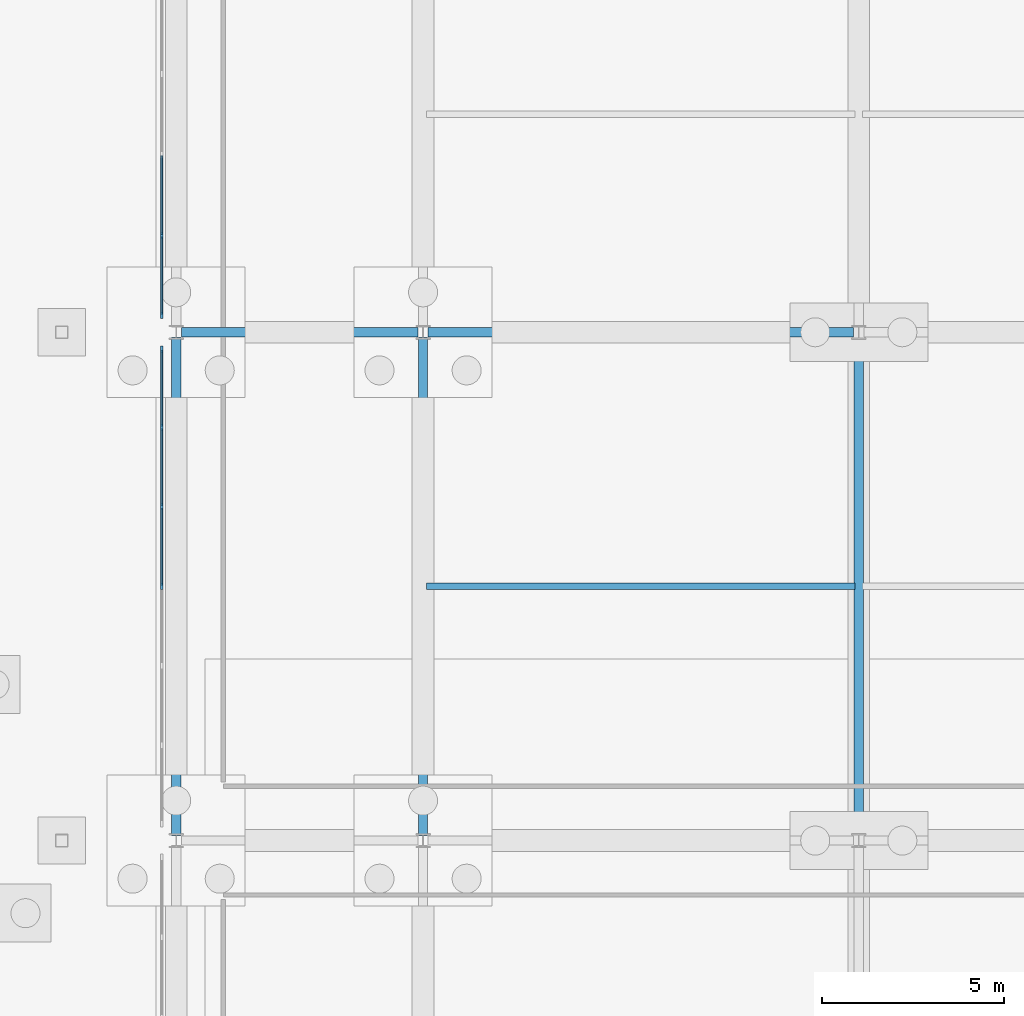
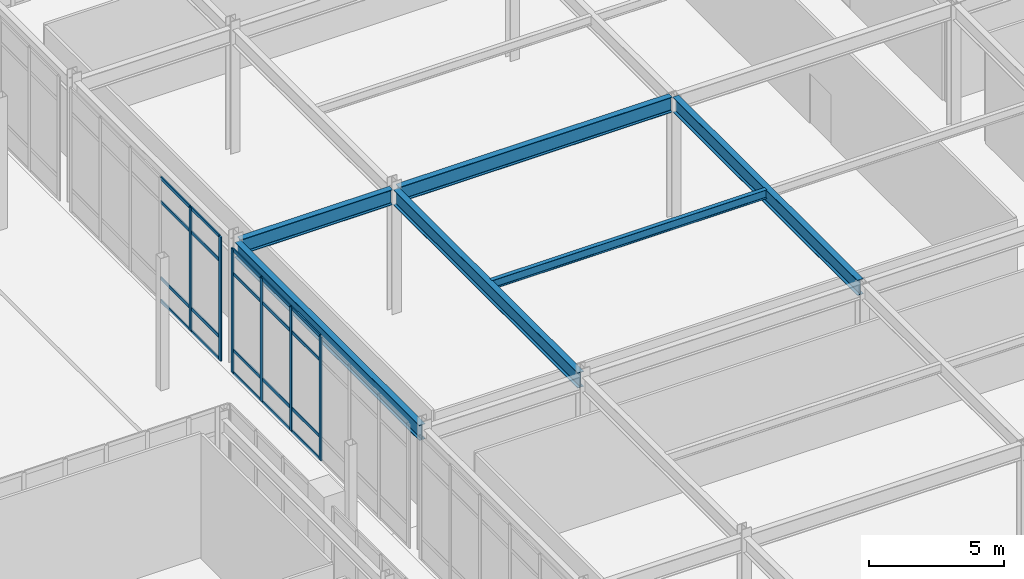
# One storey, part 64 of 143: 26 members, 6 beams, 2 elements without a shape of their own.
"""IFC4 building model written with IfcOpenShell, lengths in metres."""

from ifc_helpers import new_model, si_unit, derived_unit, direction, frame, origin, origin_2d, place, context, subcontext, project, spatial, rectangle, i_section, extrude, material, layer, layer_set, material_profile, profile_set, type_object, element, aggregate, save


model = new_model("IFC4")

# Units and contexts
model_context = context("Model", 3, precision=1e-05, world=origin(), true_north=direction((0.0, 1.0)))
body_context = subcontext(model_context, "Body", "Model", "MODEL_VIEW")
ifc_project = project(units=[si_unit("LENGTHUNIT", "METRE"), si_unit("AREAUNIT", "SQUARE_METRE"), si_unit("VOLUMEUNIT", "CUBIC_METRE"), si_unit("PLANEANGLEUNIT", "RADIAN"), si_unit("MASSUNIT", "GRAM", prefix="KILO"), derived_unit("THERMALTRANSMITTANCEUNIT", [(si_unit("MASSUNIT", "GRAM", prefix="KILO"), 1), (si_unit("TIMEUNIT", "SECOND"), -3), (si_unit("THERMODYNAMICTEMPERATUREUNIT", "KELVIN"), -1)])], contexts=[model_context])

# Site, building, storey
site_placement = place(None, origin())
site = spatial("IfcSite", under=ifc_project, at=site_placement, CompositionType="ELEMENT")
building_placement = place(site_placement, origin())
building = spatial("IfcBuilding", under=site, at=building_placement, Name="Valcora Ridge Arena", CompositionType="ELEMENT")
storey_placement = place(building_placement, origin())
storey = spatial("IfcBuildingStorey", under=building, at=storey_placement, Name="L00", CompositionType="ELEMENT", Elevation=0.0)

# Beams
ifc_material_1 = material(Name="Steel ASTM A572 Grade 50", Category="steel")
ifc_material_profile_1 = material_profile(ifc_material_1, i_section(OverallWidth=0.256103515625, OverallDepth=0.693115234375, WebThickness=0.014404296875, FlangeThickness=0.023681640625, FilletRadius=0.02001953125, at=origin_2d()), Name="W27X114")
ifc_profile_set_1 = profile_set([ifc_material_profile_1], Name="Steel ASTM A572 Grade 50")
beam_type_1 = type_object("IfcBeamType", Name="TY-BEAM-G-W27X114-X", PredefinedType="BEAM", material=ifc_profile_set_1)
beam_1_placement = place(storey_placement, frame((137.340087890625, 54.0, 5.2734375), z_axis=(1.0, 0.0, 0.0), x_axis=(0.0, 1.0, 0.0)))
element("IfcBeam", 1, at=beam_1_placement, inside=storey, type_object=beam_type_1, Name="G-W27X114-X BEM-G-W27X114-X-0014", PredefinedType="BEAM", context=body_context, shape_type="SweptSolid", body=[
    extrude(i_section(OverallWidth=0.256103515625, OverallDepth=0.693115234375, WebThickness=0.014404296875, FlangeThickness=0.023681640625, FilletRadius=0.02001953125, at=origin_2d()), origin(), (0.0, 0.0, 1.0), 6.52001953125),
])
beam_2_placement = place(storey_placement, frame((144.139892578125, 54.0, 5.2734375), z_axis=(1.0, 0.0, 0.0), x_axis=(0.0, 1.0, 0.0)))
element("IfcBeam", 2, at=beam_2_placement, inside=storey, type_object=beam_type_1, Name="G-W27X114-X BEM-G-W27X114-X-0015", PredefinedType="BEAM", context=body_context, shape_type="SweptSolid", body=[
    extrude(i_section(OverallWidth=0.256103515625, OverallDepth=0.693115234375, WebThickness=0.014404296875, FlangeThickness=0.023681640625, FilletRadius=0.02001953125, at=origin_2d()), origin(), (0.0, 0.0, 1.0), 11.72021484375),
])
ifc_material_profile_2 = material_profile(ifc_material_1, i_section(OverallWidth=0.256103515625, OverallDepth=0.693115234375, WebThickness=0.014404296875, FlangeThickness=0.023681640625, FilletRadius=0.02001953125, at=origin_2d()), Name="W27X114")
ifc_profile_set_2 = profile_set([ifc_material_profile_2], Name="Steel ASTM A572 Grade 50")
beam_type_2 = type_object("IfcBeamType", Name="TY-BEAM-G-W27X114-Y", PredefinedType="BEAM", material=ifc_profile_set_2)
for number, where, z_axis, x_axis, name in (
    (3, (137.199951171875, 40.139892578125, 5.2734375), (0.0, 1.0, 0.0), (-1.0, 0.0, 0.0), "G-W27X114-Y BEM-G-W27X114-Y-0004"),
    (4, (144.0, 40.139892578125, 5.2734375), (0.0, 1.0, 0.0), (-1.0, 0.0, 0.0), "G-W27X114-Y BEM-G-W27X114-Y-0010"),
    (5, (156.0, 40.139892578125, 5.2734375), (0.0, 1.0, 0.0), (-1.0, 0.0, 0.0), "G-W27X114-Y BEM-G-W27X114-Y-0016"),
):
    element("IfcBeam", number, at=place(storey_placement, frame(where, z_axis=z_axis, x_axis=x_axis)), inside=storey, type_object=beam_type_2, Name=name, PredefinedType="BEAM", context=body_context, shape_type="SweptSolid", body=[
        extrude(i_section(OverallWidth=0.256103515625, OverallDepth=0.693115234375, WebThickness=0.014404296875, FlangeThickness=0.023681640625, FilletRadius=0.02001953125, at=origin_2d()), origin(), (0.0, 0.0, 1.0), 13.72021484375),
    ])
ifc_material_profile_3 = material_profile(ifc_material_1, i_section(OverallWidth=0.177978515625, OverallDepth=0.406005859375, WebThickness=0.0078125, FlangeThickness=0.0126953125, FilletRadius=0.013916015625, at=origin_2d()), Name="W16X40")
ifc_profile_set_3 = profile_set([ifc_material_profile_3], Name="Steel ASTM A572 Grade 50")
beam_type_3 = type_object("IfcBeamType", Name="TY-BEAM-J-W16X40", PredefinedType="JOIST", material=ifc_profile_set_3)
beam_3_placement = place(storey_placement, frame((144.10009765625, 47.0, 5.4169921875), z_axis=(1.0, 0.0, 0.0), x_axis=(0.0, 1.0, 0.0)))
element("IfcBeam", 6, at=beam_3_placement, inside=storey, type_object=beam_type_3, Name="J-W16X40 BEM-J-W16X40-0004", PredefinedType="JOIST", context=body_context, shape_type="SweptSolid", body=[
    extrude(i_section(OverallWidth=0.177978515625, OverallDepth=0.406005859375, WebThickness=0.0078125, FlangeThickness=0.0126953125, FilletRadius=0.013916015625, at=origin_2d()), origin(), (0.0, 0.0, 1.0), 11.7998046875),
])

# Curtain wall, members
ifc_material_2 = material(Name="Anodised dark bronze architectural aluminium 6063-T6", Category="aluminium")
ifc_layer_1 = layer(ifc_material_2, 0.179931640625, Name="Anodised dark bronze architectural aluminium 6063-T6")
ifc_layer_set_1 = layer_set([ifc_layer_1], Name="Anodised dark bronze architectural aluminium 6063-T6")
curtain_wall_type_1 = type_object("IfcCurtainWallType", Name="TY-CURTAINWALL-CW-V2-GLAZ-131X56", PredefinedType="NOTDEFINED", material=ifc_layer_set_1)
curtain_wall_1_placement = place(storey_placement, origin())
curtain_wall_1 = element("IfcCurtainWall", 7, at=curtain_wall_1_placement, inside=storey, type_object=curtain_wall_type_1, Name="CW-V2-GLAZ-131X56 CW-0022", PredefinedType="NOTDEFINED")
ifc_material_profile_4 = material_profile(ifc_material_2, rectangle(XDim=0.06005859375, YDim=0.179931640625, at=origin_2d()), Name="ALU MULLION 60x180")
ifc_profile_set_4 = profile_set([ifc_material_profile_4], Name="Anodised dark bronze architectural aluminium 6063-T6")
member_type_1 = type_object("IfcMemberType", Name="TY-MEM-CWM-60x180", PredefinedType="MULLION", material=ifc_profile_set_4)
member_1_placement = place(storey_placement, frame((136.800048828125, 47.0, 0.0), z_axis=(0.0, 0.0, 1.0), x_axis=(-1.0, 0.0, 0.0)))
member_1 = element("IfcMember", 8, at=member_1_placement, type_object=member_type_1, Name="CW-0022/CWM-60x180/M03", PredefinedType="MULLION", context=body_context, shape_type="SweptSolid", body=[
    extrude(rectangle(XDim=0.06005859375, YDim=0.179931640625, at=origin_2d()), origin(), (0.0, 0.0, 1.0), 5.6201171875),
])
member_2_placement = place(storey_placement, frame((136.800048828125, 49.18896484375, 0.0), z_axis=(0.0, 0.0, 1.0), x_axis=(-1.0, 0.0, 0.0)))
member_2 = element("IfcMember", 9, at=member_2_placement, type_object=member_type_1, Name="CW-0022/CWM-60x180/M04", PredefinedType="MULLION", context=body_context, shape_type="SweptSolid", body=[
    extrude(rectangle(XDim=0.06005859375, YDim=0.179931640625, at=origin_2d()), origin(), (0.0, 0.0, 1.0), 5.6201171875),
])
member_3_placement = place(storey_placement, frame((136.800048828125, 51.3779296875, 0.0), z_axis=(0.0, 0.0, 1.0), x_axis=(-1.0, 0.0, 0.0)))
member_3 = element("IfcMember", 10, at=member_3_placement, type_object=member_type_1, Name="CW-0022/CWM-60x180/M05", PredefinedType="MULLION", context=body_context, shape_type="SweptSolid", body=[
    extrude(rectangle(XDim=0.06005859375, YDim=0.179931640625, at=origin_2d()), origin(), (0.0, 0.0, 1.0), 5.6201171875),
])
member_4_placement = place(storey_placement, frame((136.800048828125, 53.537109375, 0.0), z_axis=(0.0, 0.0, 1.0), x_axis=(-1.0, 0.0, 0.0)))
member_4 = element("IfcMember", 11, at=member_4_placement, type_object=member_type_1, Name="CW-0022/CWM-60x180/M06", PredefinedType="MULLION", context=body_context, shape_type="SweptSolid", body=[
    extrude(rectangle(XDim=0.06005859375, YDim=0.179931640625, at=origin_2d()), origin(), (0.0, 0.0, 1.0), 5.6201171875),
])

ifc_layer_2 = layer(ifc_material_2, 0.179931640625, Name="Anodised dark bronze architectural aluminium 6063-T6")
ifc_layer_set_2 = layer_set([ifc_layer_2], Name="Anodised dark bronze architectural aluminium 6063-T6")
curtain_wall_type_2 = type_object("IfcCurtainWallType", Name="TY-CURTAINWALL-CW-V2-GLAZ-111X56", PredefinedType="NOTDEFINED", material=ifc_layer_set_2)
curtain_wall_2_placement = place(storey_placement, origin())
curtain_wall_2 = element("IfcCurtainWall", 12, at=curtain_wall_2_placement, inside=storey, type_object=curtain_wall_type_2, Name="CW-V2-GLAZ-111X56 CW-0023", PredefinedType="NOTDEFINED")
member_5_placement = place(storey_placement, frame((136.800048828125, 54.462890625, 0.0), z_axis=(0.0, 0.0, 1.0), x_axis=(-1.0, 0.0, 0.0)))
member_5 = element("IfcMember", 13, at=member_5_placement, type_object=member_type_1, Name="CW-0023/CWM-60x180/M00", PredefinedType="MULLION", context=body_context, shape_type="SweptSolid", body=[
    extrude(rectangle(XDim=0.06005859375, YDim=0.179931640625, at=origin_2d()), origin(), (0.0, 0.0, 1.0), 5.6201171875),
])
member_6_placement = place(storey_placement, frame((136.800048828125, 56.659912109375, 0.0), z_axis=(0.0, 0.0, 1.0), x_axis=(-1.0, 0.0, 0.0)))
member_6 = element("IfcMember", 14, at=member_6_placement, type_object=member_type_1, Name="CW-0023/CWM-60x180/M01", PredefinedType="MULLION", context=body_context, shape_type="SweptSolid", body=[
    extrude(rectangle(XDim=0.06005859375, YDim=0.179931640625, at=origin_2d()), origin(), (0.0, 0.0, 1.0), 5.6201171875),
])

# Member
ifc_material_profile_5 = material_profile(ifc_material_2, rectangle(XDim=0.050048828125, YDim=0.14990234375, at=origin_2d()), Name="ALU TRANSOM 50x150")
ifc_profile_set_5 = profile_set([ifc_material_profile_5], Name="Anodised dark bronze architectural aluminium 6063-T6")
member_type_2 = type_object("IfcMemberType", Name="TY-MEM-CWT-50x150", PredefinedType="USERDEFINED", material=ifc_profile_set_5)
member_7_placement = place(storey_placement, frame((136.800048828125, 47.030029296875, 0.02490234375), z_axis=(0.0, 1.0, 0.0), x_axis=(-1.0, 0.0, 0.0)))
member_7 = element("IfcMember", 15, at=member_7_placement, type_object=member_type_2, Name="CW-0022/CWT-50x150/T03-00", ObjectType="TRANSOM", PredefinedType="USERDEFINED", context=body_context, shape_type="SweptSolid", body=[
    extrude(rectangle(XDim=0.050048828125, YDim=0.14990234375, at=origin_2d()), origin(), (0.0, 0.0, 1.0), 2.12890625),
])

member_8_placement = place(storey_placement, frame((136.800048828125, 47.030029296875, 1.050048828125), z_axis=(0.0, 1.0, 0.0), x_axis=(-1.0, 0.0, 0.0)))
member_8 = element("IfcMember", 16, at=member_8_placement, type_object=member_type_2, Name="CW-0022/CWT-50x150/T03-01", ObjectType="TRANSOM", PredefinedType="USERDEFINED", context=body_context, shape_type="SweptSolid", body=[
    extrude(rectangle(XDim=0.050048828125, YDim=0.14990234375, at=origin_2d()), origin(), (0.0, 0.0, 1.0), 2.12890625),
])

member_9_placement = place(storey_placement, frame((136.800048828125, 47.030029296875, 4.52001953125), z_axis=(0.0, 1.0, 0.0), x_axis=(-1.0, 0.0, 0.0)))
member_9 = element("IfcMember", 17, at=member_9_placement, type_object=member_type_2, Name="CW-0022/CWT-50x150/T03-02", ObjectType="TRANSOM", PredefinedType="USERDEFINED", context=body_context, shape_type="SweptSolid", body=[
    extrude(rectangle(XDim=0.050048828125, YDim=0.14990234375, at=origin_2d()), origin(), (0.0, 0.0, 1.0), 2.12890625),
])

member_10_placement = place(storey_placement, frame((136.800048828125, 47.030029296875, 5.594970703125), z_axis=(0.0, 1.0, 0.0), x_axis=(-1.0, 0.0, 0.0)))
member_10 = element("IfcMember", 18, at=member_10_placement, type_object=member_type_2, Name="CW-0022/CWT-50x150/T03-03", ObjectType="TRANSOM", PredefinedType="USERDEFINED", context=body_context, shape_type="SweptSolid", body=[
    extrude(rectangle(XDim=0.050048828125, YDim=0.14990234375, at=origin_2d()), origin(), (0.0, 0.0, 1.0), 2.12890625),
])

member_11_placement = place(storey_placement, frame((136.800048828125, 49.218994140625, 0.02490234375), z_axis=(0.0, 1.0, 0.0), x_axis=(-1.0, 0.0, 0.0)))
member_11 = element("IfcMember", 19, at=member_11_placement, type_object=member_type_2, Name="CW-0022/CWT-50x150/T04-00", ObjectType="TRANSOM", PredefinedType="USERDEFINED", context=body_context, shape_type="SweptSolid", body=[
    extrude(rectangle(XDim=0.050048828125, YDim=0.14990234375, at=origin_2d()), origin(), (0.0, 0.0, 1.0), 2.12890625),
])

member_12_placement = place(storey_placement, frame((136.800048828125, 49.218994140625, 1.050048828125), z_axis=(0.0, 1.0, 0.0), x_axis=(-1.0, 0.0, 0.0)))
member_12 = element("IfcMember", 20, at=member_12_placement, type_object=member_type_2, Name="CW-0022/CWT-50x150/T04-01", ObjectType="TRANSOM", PredefinedType="USERDEFINED", context=body_context, shape_type="SweptSolid", body=[
    extrude(rectangle(XDim=0.050048828125, YDim=0.14990234375, at=origin_2d()), origin(), (0.0, 0.0, 1.0), 2.12890625),
])

member_13_placement = place(storey_placement, frame((136.800048828125, 49.218994140625, 4.52001953125), z_axis=(0.0, 1.0, 0.0), x_axis=(-1.0, 0.0, 0.0)))
member_13 = element("IfcMember", 21, at=member_13_placement, type_object=member_type_2, Name="CW-0022/CWT-50x150/T04-02", ObjectType="TRANSOM", PredefinedType="USERDEFINED", context=body_context, shape_type="SweptSolid", body=[
    extrude(rectangle(XDim=0.050048828125, YDim=0.14990234375, at=origin_2d()), origin(), (0.0, 0.0, 1.0), 2.12890625),
])

member_14_placement = place(storey_placement, frame((136.800048828125, 49.218994140625, 5.594970703125), z_axis=(0.0, 1.0, 0.0), x_axis=(-1.0, 0.0, 0.0)))
member_14 = element("IfcMember", 22, at=member_14_placement, type_object=member_type_2, Name="CW-0022/CWT-50x150/T04-03", ObjectType="TRANSOM", PredefinedType="USERDEFINED", context=body_context, shape_type="SweptSolid", body=[
    extrude(rectangle(XDim=0.050048828125, YDim=0.14990234375, at=origin_2d()), origin(), (0.0, 0.0, 1.0), 2.12890625),
])

member_15_placement = place(storey_placement, frame((136.800048828125, 51.407958984375, 0.02490234375), z_axis=(0.0, 1.0, 0.0), x_axis=(-1.0, 0.0, 0.0)))
member_15 = element("IfcMember", 23, at=member_15_placement, type_object=member_type_2, Name="CW-0022/CWT-50x150/T05-00", ObjectType="TRANSOM", PredefinedType="USERDEFINED", context=body_context, shape_type="SweptSolid", body=[
    extrude(rectangle(XDim=0.050048828125, YDim=0.14990234375, at=origin_2d()), origin(), (0.0, 0.0, 1.0), 2.09912109375),
])

member_16_placement = place(storey_placement, frame((136.800048828125, 51.407958984375, 1.050048828125), z_axis=(0.0, 1.0, 0.0), x_axis=(-1.0, 0.0, 0.0)))
member_16 = element("IfcMember", 24, at=member_16_placement, type_object=member_type_2, Name="CW-0022/CWT-50x150/T05-01", ObjectType="TRANSOM", PredefinedType="USERDEFINED", context=body_context, shape_type="SweptSolid", body=[
    extrude(rectangle(XDim=0.050048828125, YDim=0.14990234375, at=origin_2d()), origin(), (0.0, 0.0, 1.0), 2.09912109375),
])

member_17_placement = place(storey_placement, frame((136.800048828125, 51.407958984375, 4.52001953125), z_axis=(0.0, 1.0, 0.0), x_axis=(-1.0, 0.0, 0.0)))
member_17 = element("IfcMember", 25, at=member_17_placement, type_object=member_type_2, Name="CW-0022/CWT-50x150/T05-02", ObjectType="TRANSOM", PredefinedType="USERDEFINED", context=body_context, shape_type="SweptSolid", body=[
    extrude(rectangle(XDim=0.050048828125, YDim=0.14990234375, at=origin_2d()), origin(), (0.0, 0.0, 1.0), 2.09912109375),
])

member_18_placement = place(storey_placement, frame((136.800048828125, 51.407958984375, 5.594970703125), z_axis=(0.0, 1.0, 0.0), x_axis=(-1.0, 0.0, 0.0)))
member_18 = element("IfcMember", 26, at=member_18_placement, type_object=member_type_2, Name="CW-0022/CWT-50x150/T05-03", ObjectType="TRANSOM", PredefinedType="USERDEFINED", context=body_context, shape_type="SweptSolid", body=[
    extrude(rectangle(XDim=0.050048828125, YDim=0.14990234375, at=origin_2d()), origin(), (0.0, 0.0, 1.0), 2.09912109375),
])

aggregate(curtain_wall_1, [member_1, member_2, member_3, member_4, member_7, member_8, member_9, member_10, member_11, member_12, member_13, member_14, member_15, member_16, member_17, member_18])

member_19_placement = place(storey_placement, frame((136.800048828125, 54.492919921875, 0.02490234375), z_axis=(0.0, 1.0, 0.0), x_axis=(-1.0, 0.0, 0.0)))
member_19 = element("IfcMember", 27, at=member_19_placement, type_object=member_type_2, Name="CW-0023/CWT-50x150/T00-00", ObjectType="TRANSOM", PredefinedType="USERDEFINED", context=body_context, shape_type="SweptSolid", body=[
    extrude(rectangle(XDim=0.050048828125, YDim=0.14990234375, at=origin_2d()), origin(), (0.0, 0.0, 1.0), 2.136962890625),
])

member_20_placement = place(storey_placement, frame((136.800048828125, 54.492919921875, 1.050048828125), z_axis=(0.0, 1.0, 0.0), x_axis=(-1.0, 0.0, 0.0)))
member_20 = element("IfcMember", 28, at=member_20_placement, type_object=member_type_2, Name="CW-0023/CWT-50x150/T00-01", ObjectType="TRANSOM", PredefinedType="USERDEFINED", context=body_context, shape_type="SweptSolid", body=[
    extrude(rectangle(XDim=0.050048828125, YDim=0.14990234375, at=origin_2d()), origin(), (0.0, 0.0, 1.0), 2.136962890625),
])

member_21_placement = place(storey_placement, frame((136.800048828125, 54.492919921875, 4.52001953125), z_axis=(0.0, 1.0, 0.0), x_axis=(-1.0, 0.0, 0.0)))
member_21 = element("IfcMember", 29, at=member_21_placement, type_object=member_type_2, Name="CW-0023/CWT-50x150/T00-02", ObjectType="TRANSOM", PredefinedType="USERDEFINED", context=body_context, shape_type="SweptSolid", body=[
    extrude(rectangle(XDim=0.050048828125, YDim=0.14990234375, at=origin_2d()), origin(), (0.0, 0.0, 1.0), 2.136962890625),
])

member_22_placement = place(storey_placement, frame((136.800048828125, 54.492919921875, 5.594970703125), z_axis=(0.0, 1.0, 0.0), x_axis=(-1.0, 0.0, 0.0)))
member_22 = element("IfcMember", 30, at=member_22_placement, type_object=member_type_2, Name="CW-0023/CWT-50x150/T00-03", ObjectType="TRANSOM", PredefinedType="USERDEFINED", context=body_context, shape_type="SweptSolid", body=[
    extrude(rectangle(XDim=0.050048828125, YDim=0.14990234375, at=origin_2d()), origin(), (0.0, 0.0, 1.0), 2.136962890625),
])

member_23_placement = place(storey_placement, frame((136.800048828125, 56.68994140625, 0.02490234375), z_axis=(0.0, 1.0, 0.0), x_axis=(-1.0, 0.0, 0.0)))
member_23 = element("IfcMember", 31, at=member_23_placement, type_object=member_type_2, Name="CW-0023/CWT-50x150/T01-00", ObjectType="TRANSOM", PredefinedType="USERDEFINED", context=body_context, shape_type="SweptSolid", body=[
    extrude(rectangle(XDim=0.050048828125, YDim=0.14990234375, at=origin_2d()), origin(), (0.0, 0.0, 1.0), 2.1669921875),
])

member_24_placement = place(storey_placement, frame((136.800048828125, 56.68994140625, 1.050048828125), z_axis=(0.0, 1.0, 0.0), x_axis=(-1.0, 0.0, 0.0)))
member_24 = element("IfcMember", 32, at=member_24_placement, type_object=member_type_2, Name="CW-0023/CWT-50x150/T01-01", ObjectType="TRANSOM", PredefinedType="USERDEFINED", context=body_context, shape_type="SweptSolid", body=[
    extrude(rectangle(XDim=0.050048828125, YDim=0.14990234375, at=origin_2d()), origin(), (0.0, 0.0, 1.0), 2.1669921875),
])

member_25_placement = place(storey_placement, frame((136.800048828125, 56.68994140625, 4.52001953125), z_axis=(0.0, 1.0, 0.0), x_axis=(-1.0, 0.0, 0.0)))
member_25 = element("IfcMember", 33, at=member_25_placement, type_object=member_type_2, Name="CW-0023/CWT-50x150/T01-02", ObjectType="TRANSOM", PredefinedType="USERDEFINED", context=body_context, shape_type="SweptSolid", body=[
    extrude(rectangle(XDim=0.050048828125, YDim=0.14990234375, at=origin_2d()), origin(), (0.0, 0.0, 1.0), 2.1669921875),
])

member_26_placement = place(storey_placement, frame((136.800048828125, 56.68994140625, 5.594970703125), z_axis=(0.0, 1.0, 0.0), x_axis=(-1.0, 0.0, 0.0)))
member_26 = element("IfcMember", 34, at=member_26_placement, type_object=member_type_2, Name="CW-0023/CWT-50x150/T01-03", ObjectType="TRANSOM", PredefinedType="USERDEFINED", context=body_context, shape_type="SweptSolid", body=[
    extrude(rectangle(XDim=0.050048828125, YDim=0.14990234375, at=origin_2d()), origin(), (0.0, 0.0, 1.0), 2.1669921875),
])

aggregate(curtain_wall_2, [member_5, member_6, member_19, member_20, member_21, member_22, member_23, member_24, member_25, member_26])

save(model, "model.ifc")
